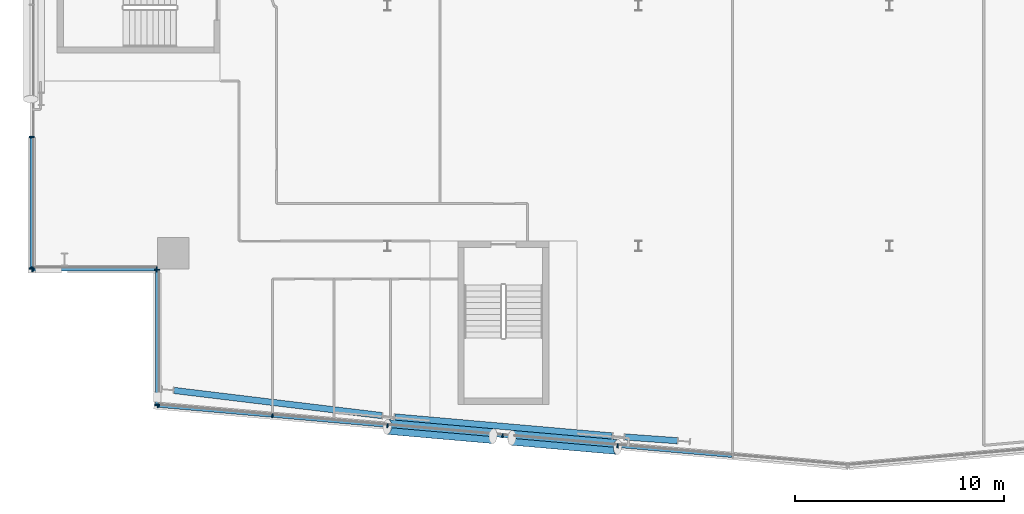
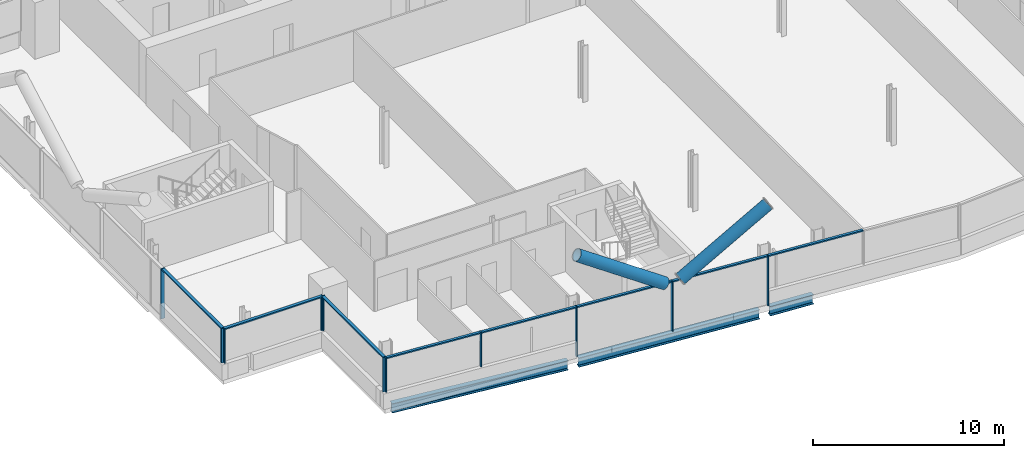
# One storey, part 6 of 26: 21 members, 3 beams, 4 elements without a shape of their own.
"""IFC4 building model written with IfcOpenShell, lengths in metres."""

import ifcopenshell
import ifcopenshell.guid

model = None  # the IFC model being written
_history = None  # IfcOwnerHistory: only IFC2X3 demands one
_inside = {}  # id of a spatial element -> (the spatial element, [elements in it])
_under = {}  # id of a project, library or spatial element -> (it, [spatial elements below it])
_declared = {}  # id of a project -> (the project, [libraries it declares])
_typed = {}  # id of a type object -> (the type object, [elements of that type])
_made_of = {}  # id of a material, layer set ... -> (it, [elements and type objects made of it])


def new_model(schema):
    """Start an empty IFC model of exactly this schema.

    Asked for "IFC4X3", IfcOpenShell would pick the latest addendum, in which some entities
    have other attributes; the version numbers below select the first issue.
    IFC2X3 requires an IfcOwnerHistory on every rooted entity: one is made here for all.
    """
    global model, _history
    if schema == "IFC4X3":
        model = ifcopenshell.file(schema_version=(4, 3, 0, 0))
    else:
        model = ifcopenshell.file(schema=schema)
    _inside.clear()
    _under.clear()
    _declared.clear()
    _typed.clear()
    _made_of.clear()
    _history = None
    if model.schema == "IFC2X3":
        org = make("IfcOrganization", Name="unknown")
        user = make(
            "IfcPersonAndOrganization",
            ThePerson=make("IfcPerson", FamilyName="unknown"),
            TheOrganization=org,
        )
        app = make(
            "IfcApplication",
            ApplicationDeveloper=org,
            Version="unknown",
            ApplicationFullName="unknown",
            ApplicationIdentifier="unknown",
        )
        _history = make(
            "IfcOwnerHistory",
            OwningUser=user,
            OwningApplication=app,
            ChangeAction="ADDED",
            CreationDate=0,
        )
    return model


def make(cls, **values):
    """One entity of the class cls with the attributes given. An attribute that is None is left unset."""
    return model.create_entity(
        cls, **{name: value for name, value in values.items() if value is not None}
    )


def rooted(cls, **values):
    """An entity with a GlobalId (a new one), such as an element, a storey or a relation."""
    return make(cls, GlobalId=ifcopenshell.guid.new(), OwnerHistory=_history, **values)


def si_unit(unit_type, name, prefix=None):
    """IfcSIUnit, for example si_unit("LENGTHUNIT", "METRE", prefix="MILLI")."""
    return make("IfcSIUnit", UnitType=unit_type, Prefix=prefix, Name=name)


def assignment(units):
    """IfcUnitAssignment: the units of a project."""
    return None if units is None else make("IfcUnitAssignment", Units=units)


def point(xyz):
    """IfcCartesianPoint."""
    return None if xyz is None else make("IfcCartesianPoint", Coordinates=xyz)


def direction(xyz):
    """IfcDirection."""
    return None if xyz is None else make("IfcDirection", DirectionRatios=xyz)


def frame(location, z_axis=None, x_axis=None):
    """IfcAxis2Placement3D, a coordinate frame: its origin and axes. An axis left out is left unset."""
    return make(
        "IfcAxis2Placement3D",
        Location=point(location),
        Axis=direction(z_axis),
        RefDirection=direction(x_axis),
    )


def frame_2d(location, x_axis=None):
    """IfcAxis2Placement2D, a coordinate frame in the plane: its origin and x axis."""
    return make(
        "IfcAxis2Placement2D", Location=point(location), RefDirection=direction(x_axis)
    )


def origin():
    """The frame at (0, 0, 0) with its axes left unset."""
    return frame((0.0, 0.0, 0.0))


def origin_2d():
    """The frame at (0, 0) in the plane with its x axis left unset."""
    return frame_2d((0.0, 0.0))


def place(relative_to, where):
    """IfcLocalPlacement: puts the frame where relative to a parent placement (None: the world)."""
    return make(
        "IfcLocalPlacement", PlacementRelTo=relative_to, RelativePlacement=where
    )


def context(
    kind, dimensions, precision=None, world=None, true_north=None, identifier=None
):
    """IfcGeometricRepresentationContext, for example the 3D "Model" context."""
    return make(
        "IfcGeometricRepresentationContext",
        ContextIdentifier=identifier,
        ContextType=kind,
        CoordinateSpaceDimension=dimensions,
        Precision=precision,
        WorldCoordinateSystem=world,
        TrueNorth=true_north,
    )


def subcontext(parent, identifier, kind, view, scale=None):
    """IfcGeometricRepresentationSubContext, for example "Body" below "Model"."""
    return make(
        "IfcGeometricRepresentationSubContext",
        ContextIdentifier=identifier,
        ContextType=kind,
        ParentContext=parent,
        TargetScale=scale,
        TargetView=view,
    )


def project(units=None, contexts=None):
    """IfcProject with its units and contexts."""
    return rooted(
        "IfcProject",
        Name="project",
        RepresentationContexts=contexts,
        UnitsInContext=assignment(units),
    )


def spatial(cls, under=None, at=None, **own):
    """A site, building, storey or space (cls), placed at a placement, below another one or the project."""
    s = rooted(cls, ObjectPlacement=at, **own)
    if under is not None:
        _under.setdefault(under.id(), (under, []))[1].append(s)
    return s


def profile(cls, at=None, kind="AREA", **sizes):
    """A parametric profile (cls). Its sizes go by their IFC names, for example OverallWidth=200.0."""
    return make(cls, ProfileType=kind, Position=at, **sizes)


def rectangle(**sizes):
    """IfcRectangleProfileDef."""
    return profile("IfcRectangleProfileDef", **sizes)


def hollow_circle(**sizes):
    """IfcCircleHollowProfileDef."""
    return profile("IfcCircleHollowProfileDef", **sizes)


def i_section(**sizes):
    """IfcIShapeProfileDef."""
    return profile("IfcIShapeProfileDef", **sizes)


def extrude(swept, where, along, depth):
    """IfcExtrudedAreaSolid: the profile swept, set in the frame where, extruded along a direction by depth."""
    return make(
        "IfcExtrudedAreaSolid",
        SweptArea=swept,
        Position=where,
        ExtrudedDirection=direction(along),
        Depth=depth,
    )


def shape(context_of_items, identifier, shape_type, items):
    """IfcShapeRepresentation: the items that make up one representation, for example the "Body"."""
    return make(
        "IfcShapeRepresentation",
        ContextOfItems=context_of_items,
        RepresentationIdentifier=identifier,
        RepresentationType=shape_type,
        Items=items,
    )


def material(Name=None, Category=None):
    """IfcMaterial."""
    return make("IfcMaterial", Name=Name, Category=Category)


def material_profile(
    of_material, cross_section, Name=None, Category=None, Priority=None
):
    """IfcMaterialProfile: a cross section and its material."""
    return make(
        "IfcMaterialProfile",
        Name=Name,
        Material=of_material,
        Profile=cross_section,
        Priority=Priority,
        Category=Category,
    )


def profile_set(profiles, Name=None, composite=None):
    """IfcMaterialProfileSet."""
    return make(
        "IfcMaterialProfileSet",
        Name=Name,
        MaterialProfiles=profiles,
        CompositeProfile=composite,
    )


def made_of(thing, what):
    """Note that an element or type object is made of a material, layer set ...; save() writes the relation."""
    if what is not None:
        _made_of.setdefault(what.id(), (what, []))[1].append(thing)
    return thing


def type_object(cls, material=None, **own):
    """A type object (cls), such as IfcWallType, which elements share."""
    return made_of(rooted(cls, **own), material)


def element(
    cls,
    number,
    at=None,
    inside=None,
    cuts=None,
    type_object=None,
    material=None,
    context=None,
    identifier="Body",
    shape_type=None,
    held_by="IfcProductDefinitionShape",
    body=None,
    shapes=None,
    **own,
):
    """One element of the class cls, such as IfcWall. Its Tag is "e" and its number.

    at: its placement. inside: the storey or other place that contains it. cuts: it is an
    opening in that element (IfcRelVoidsElement). A single representation is given by context,
    identifier, shape_type and body (its items); several are given by shapes. held_by: the class
    of the entity that holds the representations. save() writes the other relations.
    """
    e = rooted(cls, Tag="e%d" % number, ObjectPlacement=at, **own)
    if body is not None:
        shapes = [shape(context, identifier, shape_type, body)]
    if shapes is not None:
        e.Representation = make(held_by, Representations=shapes)
    if inside is not None:
        _inside.setdefault(inside.id(), (inside, []))[1].append(e)
    if cuts is not None:
        rooted(
            "IfcRelVoidsElement", RelatingBuildingElement=cuts, RelatedOpeningElement=e
        )
    if type_object is not None:
        _typed.setdefault(type_object.id(), (type_object, []))[1].append(e)
    return made_of(e, material)


def aggregate(whole, parts):
    """IfcRelAggregates: a whole, such as a stair, and the parts it consists of."""
    return rooted("IfcRelAggregates", RelatingObject=whole, RelatedObjects=parts)


def save(model, path):
    """Write the relations noted so far, then the file.

    IfcRelAggregates (storeys below a building ...), IfcRelContainedInSpatialStructure (elements
    in a storey), IfcRelDefinesByType, IfcRelAssociatesMaterial and IfcRelDeclares: one each for
    every whole, place, type object, material and project.
    """
    for whole, parts in _under.values():
        aggregate(whole, parts)
    for where, things in _inside.values():
        rooted(
            "IfcRelContainedInSpatialStructure",
            RelatedElements=things,
            RelatingStructure=where,
        )
    for kind, things in _typed.values():
        rooted("IfcRelDefinesByType", RelatedObjects=things, RelatingType=kind)
    for what, things in _made_of.values():
        rooted("IfcRelAssociatesMaterial", RelatedObjects=things, RelatingMaterial=what)
    for by, libraries in _declared.values():
        rooted("IfcRelDeclares", RelatingContext=by, RelatedDefinitions=libraries)
    model.write(path)


model = new_model("IFC4")

# Units and contexts
model_context = context("Model", 3, precision=1e-05, world=origin(), true_north=direction((0.0, 1.0)))
body_context = subcontext(model_context, "Body", "Model", "MODEL_VIEW")
ifc_project = project(units=[si_unit("LENGTHUNIT", "METRE"), si_unit("AREAUNIT", "SQUARE_METRE"), si_unit("VOLUMEUNIT", "CUBIC_METRE"), si_unit("PLANEANGLEUNIT", "RADIAN"), si_unit("MASSUNIT", "GRAM", prefix="KILO")], contexts=[model_context])

# Site, building, storey
site_placement = place(None, origin())
site = spatial("IfcSite", under=ifc_project, at=site_placement, CompositionType="ELEMENT")
building_placement = place(site_placement, origin())
building = spatial("IfcBuilding", under=site, at=building_placement, Name="Wharfspan Tower", CompositionType="ELEMENT")
storey_placement = place(building_placement, frame((0.0, 0.0, 180.699951)))
storey = spatial("IfcBuildingStorey", under=building, at=storey_placement, Name="L44", CompositionType="ELEMENT", Elevation=180.699951)

# Beams
ifc_material_1 = material(Name="Steel S355J2", Category="steel")
ifc_material_profile_1 = material_profile(ifc_material_1, i_section(OverallWidth=0.300049, OverallDepth=0.600098, WebThickness=0.015381, FlangeThickness=0.030029, FilletRadius=0.0271, at=origin_2d()))
ifc_profile_set_1 = profile_set([ifc_material_profile_1], Name="Steel S355J2")
beam_type = type_object("IfcBeamType", Name="Edge beam HEB 600", PredefinedType="SPANDREL", material=ifc_profile_set_1)
beam_1_placement = place(storey_placement, frame((13.794678, 4.600586, -0.699951), z_axis=(0.992758, -0.12013, 0.0), x_axis=(0.12013, 0.992758, 0.0)))
element("IfcBeam", 1, at=beam_1_placement, inside=storey, type_object=beam_type, Name="Edge beam S1 L44 PS1.1 to PS1.2", PredefinedType="SPANDREL", context=body_context, shape_type="SweptSolid", body=[
    extrude(i_section(OverallWidth=0.300049, OverallDepth=0.600098, WebThickness=0.015381, FlangeThickness=0.030029, FilletRadius=0.0271, at=origin_2d()), origin(), (0.0, 0.0, 1.0), 10.013184),
])
beam_2_placement = place(storey_placement, frame((24.343994, 3.334229, -0.699951), z_axis=(0.996196, -0.087146, 0.0), x_axis=(0.087146, 0.996196, 0.0)))
element("IfcBeam", 2, at=beam_2_placement, inside=storey, type_object=beam_type, Name="Edge beam S1 L44 PS1.2 to PS1.3", PredefinedType="SPANDREL", context=body_context, shape_type="SweptSolid", body=[
    extrude(i_section(OverallWidth=0.300049, OverallDepth=0.600098, WebThickness=0.015381, FlangeThickness=0.030029, FilletRadius=0.0271, at=origin_2d()), origin(), (0.0, 0.0, 1.0), 10.430176),
])
beam_3_placement = place(storey_placement, frame((35.344482, 2.376709, -0.699951), z_axis=(0.997423, -0.07175, 0.0), x_axis=(0.07175, 0.997423, 0.0)))
element("IfcBeam", 3, at=beam_3_placement, inside=storey, type_object=beam_type, Name="Edge beam S1 L44 PS1.3 to PS1.4", PredefinedType="SPANDREL", context=body_context, shape_type="SweptSolid", body=[
    extrude(i_section(OverallWidth=0.300049, OverallDepth=0.600098, WebThickness=0.015381, FlangeThickness=0.030029, FilletRadius=0.0271, at=origin_2d()), origin(), (0.0, 0.0, 1.0), 2.518066),
])

# Curtain wall, members
ifc_material_2 = material(Name="Aluminium 6063-T6", Category="aluminium")
curtain_wall_type_1 = type_object("IfcCurtainWallType", Name="CURTAIN WALL FACETED FRONT", PredefinedType="NOTDEFINED", material=ifc_material_2)
curtain_wall_1_placement = place(storey_placement, origin())
curtain_wall_1 = element("IfcCurtainWall", 4, at=curtain_wall_1_placement, inside=storey, type_object=curtain_wall_type_1, Name="Curtain wall S1", PredefinedType="NOTDEFINED")
ifc_material_profile_2 = material_profile(ifc_material_2, rectangle(XDim=0.199951, YDim=0.060059, at=origin_2d()))
ifc_profile_set_2 = profile_set([ifc_material_profile_2], Name="Aluminium 6063-T6")
member_type_1 = type_object("IfcMemberType", Name="MULLION FACETED FRONT 60x200", PredefinedType="MULLION", material=ifc_profile_set_2)
member_1_placement = place(storey_placement, frame((13.029785, 3.872559, 1.0), z_axis=(0.0, 0.0, 1.0), x_axis=(0.087156, 0.996198, 0.0)))
member_1 = element("IfcMember", 5, at=member_1_placement, type_object=member_type_1, Name="Curtain wall S1 mullion 1", PredefinedType="MULLION", context=body_context, shape_type="SweptSolid", body=[
    extrude(rectangle(XDim=0.199951, YDim=0.060059, at=origin_2d()), origin(), (0.0, 0.0, 1.0), 2.199951),
])
member_2_placement = place(storey_placement, frame((18.5, 3.393799, 1.0), z_axis=(0.0, 0.0, 1.0), x_axis=(0.087156, 0.996198, 0.0)))
member_2 = element("IfcMember", 6, at=member_2_placement, type_object=member_type_1, Name="Curtain wall S1 mullion 2", PredefinedType="MULLION", context=body_context, shape_type="SweptSolid", body=[
    extrude(rectangle(XDim=0.199951, YDim=0.060059, at=origin_2d()), origin(), (0.0, 0.0, 1.0), 2.199951),
])
member_3_placement = place(storey_placement, frame((24.0, 2.912598, 0.0), z_axis=(0.0, 0.0, 1.0), x_axis=(0.087156, 0.996198, 0.0)))
member_3 = element("IfcMember", 7, at=member_3_placement, type_object=member_type_1, Name="Curtain wall S1 mullion 3", PredefinedType="MULLION", context=body_context, shape_type="SweptSolid", body=[
    extrude(rectangle(XDim=0.199951, YDim=0.060059, at=origin_2d()), origin(), (0.0, 0.0, 1.0), 3.199951),
])
member_4_placement = place(storey_placement, frame((29.5, 2.431396, 0.0), z_axis=(0.0, 0.0, 1.0), x_axis=(0.087156, 0.996198, 0.0)))
member_4 = element("IfcMember", 8, at=member_4_placement, type_object=member_type_1, Name="Curtain wall S1 mullion 4", PredefinedType="MULLION", context=body_context, shape_type="SweptSolid", body=[
    extrude(rectangle(XDim=0.199951, YDim=0.060059, at=origin_2d()), origin(), (0.0, 0.0, 1.0), 3.199951),
])
member_5_placement = place(storey_placement, frame((35.0, 1.950195, 0.0), z_axis=(0.0, 0.0, 1.0), x_axis=(0.087156, 0.996198, 0.0)))
member_5 = element("IfcMember", 9, at=member_5_placement, type_object=member_type_1, Name="Curtain wall S1 mullion 5", PredefinedType="MULLION", context=body_context, shape_type="SweptSolid", body=[
    extrude(rectangle(XDim=0.199951, YDim=0.060059, at=origin_2d()), origin(), (0.0, 0.0, 1.0), 3.199951),
])

curtain_wall_type_2 = type_object("IfcCurtainWallType", Name="CURTAIN WALL PROW AND END", PredefinedType="NOTDEFINED", material=ifc_material_2)
curtain_wall_2_placement = place(storey_placement, origin())
curtain_wall_2 = element("IfcCurtainWall", 10, at=curtain_wall_2_placement, inside=storey, type_object=curtain_wall_type_2, Name="Curtain wall W", PredefinedType="NOTDEFINED")
ifc_material_profile_3 = material_profile(ifc_material_2, rectangle(XDim=0.23999, YDim=0.060059, at=origin_2d()))
ifc_profile_set_3 = profile_set([ifc_material_profile_3], Name="Aluminium 6063-T6")
member_type_2 = type_object("IfcMemberType", Name="MULLION PROW AND END 60x240", PredefinedType="MULLION", material=ifc_profile_set_3)
member_6_placement = place(storey_placement, frame((7.0, 16.719971, 0.0), z_axis=(0.0, 0.0, 1.0), x_axis=(1.0, 0.0, 0.0)))
member_6 = element("IfcMember", 11, at=member_6_placement, type_object=member_type_2, Name="Curtain wall W mullion 5", PredefinedType="MULLION", context=body_context, shape_type="SweptSolid", body=[
    extrude(rectangle(XDim=0.23999, YDim=0.060059, at=origin_2d()), origin(), (0.0, 0.0, 1.0), 3.199951),
])
member_7_placement = place(storey_placement, frame((7.0, 10.429932, 1.0), z_axis=(0.0, 0.0, 1.0), x_axis=(1.0, 0.0, 0.0)))
member_7 = element("IfcMember", 12, at=member_7_placement, type_object=member_type_2, Name="Curtain wall W mullion 6", PredefinedType="MULLION", context=body_context, shape_type="SweptSolid", body=[
    extrude(rectangle(XDim=0.23999, YDim=0.060059, at=origin_2d()), origin(), (0.0, 0.0, 1.0), 2.199951),
])

curtain_wall_3_placement = place(storey_placement, origin())
curtain_wall_3 = element("IfcCurtainWall", 13, at=curtain_wall_3_placement, inside=storey, type_object=curtain_wall_type_2, Name="Curtain wall NFW-H", PredefinedType="NOTDEFINED")
member_8_placement = place(storey_placement, frame((7.030029, 10.399902, 1.0), z_axis=(0.0, 0.0, 1.0), x_axis=(0.0, 1.0, 0.0)))
member_8 = element("IfcMember", 14, at=member_8_placement, type_object=member_type_2, Name="Curtain wall NFW-H mullion 1", PredefinedType="MULLION", context=body_context, shape_type="SweptSolid", body=[
    extrude(rectangle(XDim=0.23999, YDim=0.060059, at=origin_2d()), origin(), (0.0, 0.0, 1.0), 2.199951),
])
member_9_placement = place(storey_placement, frame((12.969971, 10.399902, 1.0), z_axis=(0.0, 0.0, 1.0), x_axis=(0.0, 1.0, 0.0)))
member_9 = element("IfcMember", 15, at=member_9_placement, type_object=member_type_2, Name="Curtain wall NFW-H mullion 2", PredefinedType="MULLION", context=body_context, shape_type="SweptSolid", body=[
    extrude(rectangle(XDim=0.23999, YDim=0.060059, at=origin_2d()), origin(), (0.0, 0.0, 1.0), 2.199951),
])

curtain_wall_4_placement = place(storey_placement, origin())
curtain_wall_4 = element("IfcCurtainWall", 16, at=curtain_wall_4_placement, inside=storey, type_object=curtain_wall_type_2, Name="Curtain wall NFW-V", PredefinedType="NOTDEFINED")
member_10_placement = place(storey_placement, frame((13.0, 10.370117, 1.0), z_axis=(0.0, 0.0, 1.0), x_axis=(1.0, 0.0, 0.0)))
member_10 = element("IfcMember", 17, at=member_10_placement, type_object=member_type_2, Name="Curtain wall NFW-V mullion 1", PredefinedType="MULLION", context=body_context, shape_type="SweptSolid", body=[
    extrude(rectangle(XDim=0.23999, YDim=0.060059, at=origin_2d()), origin(), (0.0, 0.0, 1.0), 2.199951),
])
member_11_placement = place(storey_placement, frame((13.0, 3.905029, 1.0), z_axis=(0.0, 0.0, 1.0), x_axis=(1.0, 0.0, 0.0)))
member_11 = element("IfcMember", 18, at=member_11_placement, type_object=member_type_2, Name="Curtain wall NFW-V mullion 2", PredefinedType="MULLION", context=body_context, shape_type="SweptSolid", body=[
    extrude(rectangle(XDim=0.23999, YDim=0.060059, at=origin_2d()), origin(), (0.0, 0.0, 1.0), 2.199951),
])

# Members
ifc_material_3 = material(Name="Steel S460NH", Category="steel")
ifc_material_profile_4 = material_profile(ifc_material_3, hollow_circle(Radius=0.355469, WallThickness=0.035889, at=origin_2d()))
ifc_profile_set_4 = profile_set([ifc_material_profile_4], Name="Steel S460NH")
member_type_3 = type_object("IfcMemberType", Name="Mega brace CHS 711x36", PredefinedType="BRACE", material=ifc_profile_set_4)
for number, where, z_axis, x_axis, name in (
    (19, (29.947021, 2.337158, 3.195801), (0.834469, -0.073006, 0.546197), (0.087156, 0.996198, -1e-06), "Mega brace S1 L44 part 2"),
    (20, (29.043213, 2.41626, 3.195801), (-0.834469, 0.073006, 0.546197), (-0.087156, -0.996198, -1e-06), "Mega brace S1 L44 part 4"),
):
    element("IfcMember", number, at=place(storey_placement, frame(where, z_axis=z_axis, x_axis=x_axis)), inside=storey, type_object=member_type_3, Name=name, PredefinedType="BRACE", context=body_context, shape_type="SweptSolid", body=[
        extrude(hollow_circle(Radius=0.355469, WallThickness=0.035889, at=origin_2d()), origin(), (0.0, 0.0, 1.0), 6.049561),
    ])

# Member
ifc_material_profile_5 = material_profile(ifc_material_2, rectangle(XDim=0.159912, YDim=0.080078, at=origin_2d()))
ifc_profile_set_5 = profile_set([ifc_material_profile_5], Name="Aluminium 6063-T6")
member_type_4 = type_object("IfcMemberType", Name="TRANSOM FACETED FRONT 80x160", PredefinedType="USERDEFINED", material=ifc_profile_set_5)
member_12_placement = place(storey_placement, frame((13.059814, 3.869873, 3.160156), z_axis=(0.996194, -0.087163, 0.0), x_axis=(0.087163, 0.996194, 0.0)))
member_12 = element("IfcMember", 21, at=member_12_placement, type_object=member_type_4, Name="Curtain wall S1 transom 1", ObjectType="TRANSOM", PredefinedType="USERDEFINED", context=body_context, shape_type="SweptSolid", body=[
    extrude(rectangle(XDim=0.159912, YDim=0.080078, at=origin_2d()), origin(), (0.0, 0.0, 1.0), 5.431152),
])

member_13_placement = place(storey_placement, frame((18.529785, 3.391357, 3.160156), z_axis=(0.996193, -0.087174, 0.0), x_axis=(0.087174, 0.996193, 0.0)))
member_13 = element("IfcMember", 22, at=member_13_placement, type_object=member_type_4, Name="Curtain wall S1 transom 2", ObjectType="TRANSOM", PredefinedType="USERDEFINED", context=body_context, shape_type="SweptSolid", body=[
    extrude(rectangle(XDim=0.159912, YDim=0.080078, at=origin_2d()), origin(), (0.0, 0.0, 1.0), 5.461182),
])

member_14_placement = place(storey_placement, frame((24.029785, 2.910156, 3.160156), z_axis=(0.996193, -0.087174, 0.0), x_axis=(0.087174, 0.996193, 0.0)))
member_14 = element("IfcMember", 23, at=member_14_placement, type_object=member_type_4, Name="Curtain wall S1 transom 3", ObjectType="TRANSOM", PredefinedType="USERDEFINED", context=body_context, shape_type="SweptSolid", body=[
    extrude(rectangle(XDim=0.159912, YDim=0.080078, at=origin_2d()), origin(), (0.0, 0.0, 1.0), 5.461182),
])

member_15_placement = place(storey_placement, frame((29.529785, 2.428955, 3.160156), z_axis=(0.996193, -0.087174, 0.0), x_axis=(0.087174, 0.996193, 0.0)))
member_15 = element("IfcMember", 24, at=member_15_placement, type_object=member_type_4, Name="Curtain wall S1 transom 4", ObjectType="TRANSOM", PredefinedType="USERDEFINED", context=body_context, shape_type="SweptSolid", body=[
    extrude(rectangle(XDim=0.159912, YDim=0.080078, at=origin_2d()), origin(), (0.0, 0.0, 1.0), 5.461182),
])

member_16_placement = place(storey_placement, frame((35.029785, 1.947754, 3.160156), z_axis=(0.996193, -0.087174, 0.0), x_axis=(0.087174, 0.996193, 0.0)))
member_16 = element("IfcMember", 25, at=member_16_placement, type_object=member_type_4, Name="Curtain wall S1 transom 5", ObjectType="TRANSOM", PredefinedType="USERDEFINED", context=body_context, shape_type="SweptSolid", body=[
    extrude(rectangle(XDim=0.159912, YDim=0.080078, at=origin_2d()), origin(), (0.0, 0.0, 1.0), 5.461182),
])

aggregate(curtain_wall_1, [member_1, member_2, member_3, member_4, member_5, member_12, member_13, member_14, member_15, member_16])

ifc_material_profile_6 = material_profile(ifc_material_2, rectangle(XDim=0.179932, YDim=0.080078, at=origin_2d()))
ifc_profile_set_6 = profile_set([ifc_material_profile_6], Name="Aluminium 6063-T6")
member_type_5 = type_object("IfcMemberType", Name="TRANSOM PROW AND END 80x180", PredefinedType="USERDEFINED", material=ifc_profile_set_6)
member_17_placement = place(storey_placement, frame((7.0, 16.689941, 3.160156), z_axis=(0.0, -1.0, 0.0), x_axis=(1.0, 0.0, 0.0)))
member_17 = element("IfcMember", 26, at=member_17_placement, type_object=member_type_5, Name="Curtain wall W transom 5", ObjectType="TRANSOM", PredefinedType="USERDEFINED", context=body_context, shape_type="SweptSolid", body=[
    extrude(rectangle(XDim=0.179932, YDim=0.080078, at=origin_2d()), origin(), (0.0, 0.0, 1.0), 6.22998),
])

aggregate(curtain_wall_2, [member_6, member_7, member_17])

member_18_placement = place(storey_placement, frame((7.060059, 10.399902, 3.160156), z_axis=(1.0, 0.0, 0.0), x_axis=(0.0, 1.0, 0.0)))
member_18 = element("IfcMember", 27, at=member_18_placement, type_object=member_type_5, Name="Curtain wall NFW-H transom 1", ObjectType="TRANSOM", PredefinedType="USERDEFINED", context=body_context, shape_type="SweptSolid", body=[
    extrude(rectangle(XDim=0.179932, YDim=0.080078, at=origin_2d()), origin(), (0.0, 0.0, 1.0), 5.879883),
])

aggregate(curtain_wall_3, [member_8, member_9, member_18])

member_19_placement = place(storey_placement, frame((13.0, 10.340088, 3.160156), z_axis=(0.0, -1.0, 0.0), x_axis=(1.0, 0.0, 0.0)))
member_19 = element("IfcMember", 28, at=member_19_placement, type_object=member_type_5, Name="Curtain wall NFW-V transom 1", ObjectType="TRANSOM", PredefinedType="USERDEFINED", context=body_context, shape_type="SweptSolid", body=[
    extrude(rectangle(XDim=0.179932, YDim=0.080078, at=origin_2d()), origin(), (0.0, 0.0, 1.0), 6.405029),
])

aggregate(curtain_wall_4, [member_10, member_11, member_19])

save(model, "model.ifc")
